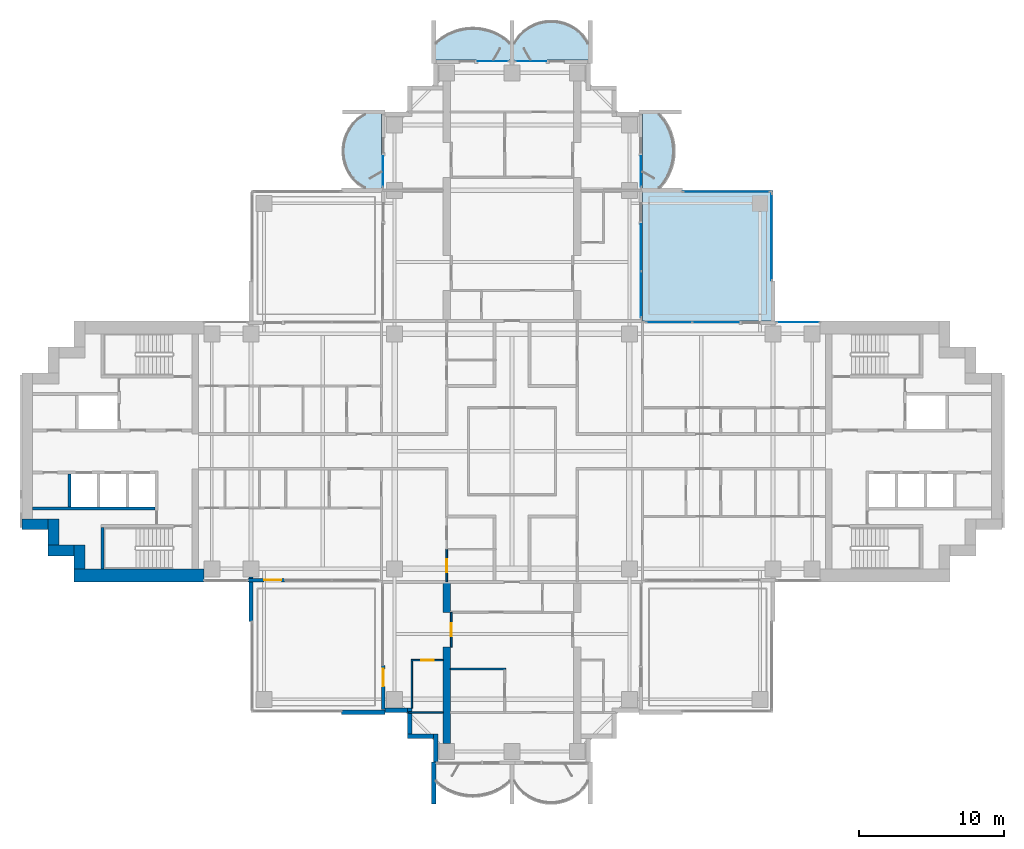
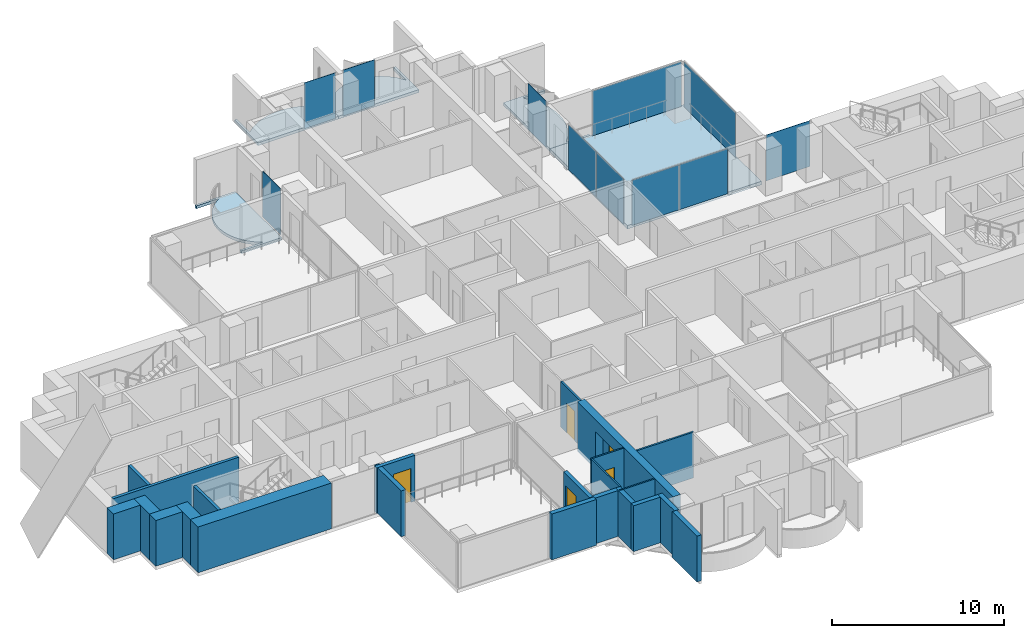
# One storey, part 8 of 18: 24 walls, 11 plates, 5 doors, 5 slabs, 5 openings, 9 elements without a shape of their own.
"""IFC4 building model written with IfcOpenShell, lengths in metres."""

from ifc_helpers import new_model, si_unit, direction, frame, frame_2d, origin, origin_2d, place, context, subcontext, project, spatial, polyline, rectangle, outline, extrude, material, layer, layer_set, material_profile, profile_set, type_object, element, fill, aggregate, save


model = new_model("IFC4")

# Units and contexts
model_context = context("Model", 3, precision=1e-05, world=origin(), true_north=direction((0.0, 1.0)))
body_context = subcontext(model_context, "Body", "Model", "MODEL_VIEW")
ifc_project = project(units=[si_unit("LENGTHUNIT", "METRE"), si_unit("AREAUNIT", "SQUARE_METRE"), si_unit("VOLUMEUNIT", "CUBIC_METRE"), si_unit("PLANEANGLEUNIT", "RADIAN"), si_unit("MASSUNIT", "GRAM", prefix="KILO")], contexts=[model_context])

# Site, building, storey
site_placement = place(None, origin())
site = spatial("IfcSite", under=ifc_project, at=site_placement, CompositionType="ELEMENT")
building_placement = place(site_placement, origin())
building = spatial("IfcBuilding", under=site, at=building_placement, Name="Perihelion Cross Residences", CompositionType="ELEMENT")
storey_placement = place(building_placement, frame((0.0, 0.0, 140.89990234375)))
storey = spatial("IfcBuildingStorey", under=building, at=storey_placement, Name="L34", CompositionType="ELEMENT", Elevation=140.89990234375)

# Slabs
ifc_material_1 = material(Name="Concrete C40/50", Category="concrete")
ifc_layer_1 = layer(ifc_material_1, 0.199951171875)
ifc_layer_set_1 = layer_set([ifc_layer_1], Name="Balcony slab 200")
slab_type_1 = type_object("IfcSlabType", Name="Balcony slab 200", PredefinedType="FLOOR", material=ifc_layer_set_1)
slab_1_placement = place(storey_placement, frame((0.0, 0.0, -0.199951171875)))
element("IfcSlab", 1, at=slab_1_placement, inside=storey, type_object=slab_type_1, Name="Slab BK1 L34 north side east bay 2 balcony", PredefinedType="FLOOR", context=body_context, shape_type="SweptSolid", body=[
    extrude(outline(polyline([(9.0, 18.0), (9.0, 23.39990234375), (11.699951171875, 23.39990234375), (11.699951171875, 23.25), (10.199951171875, 23.25), (10.5400390625, 22.824951171875), (10.792724609375, 22.39990234375), (10.9765625, 21.97509765625), (11.1025390625, 21.550048828125), (11.17578125, 21.125), (11.199951171875, 20.699951171875), (11.17578125, 20.27490234375), (11.1025390625, 19.85009765625), (10.9765625, 19.425048828125), (10.792724609375, 19.0), (10.5400390625, 18.574951171875), (10.199951171875, 18.14990234375), (11.699951171875, 18.14990234375), (11.699951171875, 18.0), (9.0, 18.0)])), origin(), (0.0, 0.0, 1.0), 0.199951171875),
])
slab_2_placement = place(storey_placement, frame((0.0, 0.0, -0.199951171875)))
element("IfcSlab", 2, at=slab_2_placement, inside=storey, type_object=slab_type_1, Name="Slab BK1 L34 north tip north bay 1 balcony", PredefinedType="FLOOR", context=body_context, shape_type="SweptSolid", body=[
    extrude(outline(polyline([(5.39990234375, 27.0), (0.0, 27.0), (0.0, 29.699951171875), (0.14990234375, 29.699951171875), (0.14990234375, 28.199951171875), (0.489990234375, 28.6767578125), (0.830078125, 29.007080078125), (1.169921875, 29.2490234375), (1.510009765625, 29.42724609375), (1.85009765625, 29.553466796875), (2.18994140625, 29.63427734375), (2.530029296875, 29.674072265625), (2.8701171875, 29.674072265625), (3.2099609375, 29.63427734375), (3.550048828125, 29.553466796875), (3.889892578125, 29.42724609375), (4.22998046875, 29.2490234375), (4.570068359375, 29.007080078125), (4.909912109375, 28.6767578125), (5.25, 28.199951171875), (5.25, 29.699951171875), (5.39990234375, 29.699951171875), (5.39990234375, 27.0)])), origin(), (0.0, 0.0, 1.0), 0.199951171875),
])
slab_3_placement = place(storey_placement, frame((0.0, 0.0, -0.199951171875)))
element("IfcSlab", 3, at=slab_3_placement, inside=storey, type_object=slab_type_1, Name="Slab BK1 L34 north tip north bay 2 balcony", PredefinedType="FLOOR", context=body_context, shape_type="SweptSolid", body=[
    extrude(outline(polyline([(0.0, 27.0), (-5.39990234375, 27.0), (-5.39990234375, 29.699951171875), (-5.25, 29.699951171875), (-5.25, 28.199951171875), (-4.824951171875, 28.5400390625), (-4.39990234375, 28.792724609375), (-3.97509765625, 28.9765625), (-3.550048828125, 29.1025390625), (-3.125, 29.17578125), (-2.699951171875, 29.199951171875), (-2.27490234375, 29.17578125), (-1.85009765625, 29.1025390625), (-1.425048828125, 28.9765625), (-1.0, 28.792724609375), (-0.574951171875, 28.5400390625), (-0.14990234375, 28.199951171875), (-0.14990234375, 29.699951171875), (0.0, 29.699951171875), (0.0, 27.0)])), origin(), (0.0, 0.0, 1.0), 0.199951171875),
])
slab_4_placement = place(storey_placement, frame((0.0, 0.0, -0.199951171875)))
element("IfcSlab", 4, at=slab_4_placement, inside=storey, type_object=slab_type_1, Name="Slab BK1 L34 north side west bay 1 balcony", PredefinedType="FLOOR", context=body_context, shape_type="SweptSolid", body=[
    extrude(outline(polyline([(-9.0, 23.39990234375), (-9.0, 18.0), (-11.699951171875, 18.0), (-11.699951171875, 18.14990234375), (-10.199951171875, 18.14990234375), (-10.6767578125, 18.489990234375), (-11.007080078125, 18.830078125), (-11.2490234375, 19.169921875), (-11.42724609375, 19.510009765625), (-11.553466796875, 19.85009765625), (-11.63427734375, 20.18994140625), (-11.674072265625, 20.530029296875), (-11.674072265625, 20.8701171875), (-11.63427734375, 21.2099609375), (-11.553466796875, 21.550048828125), (-11.42724609375, 21.889892578125), (-11.2490234375, 22.22998046875), (-11.007080078125, 22.570068359375), (-10.6767578125, 22.909912109375), (-10.199951171875, 23.25), (-11.699951171875, 23.25), (-11.699951171875, 23.39990234375), (-9.0, 23.39990234375)])), origin(), (0.0, 0.0, 1.0), 0.199951171875),
])

# Curtain wall, plate
ifc_material_2 = material(Name="Bronze anodised aluminium, tinted glazing", Category="aluminium")
curtain_wall_type_1 = type_object("IfcCurtainWallType", Name="CW1", PredefinedType="NOTDEFINED", material=ifc_material_2)
curtain_wall_1_placement = place(storey_placement, origin())
curtain_wall_1 = element("IfcCurtainWall", 5, at=curtain_wall_1_placement, inside=storey, type_object=curtain_wall_type_1, Name="Curtain wall CW1 L34 east side north bay 1", PredefinedType="NOTDEFINED")
ifc_material_3 = material(Name="Tinted laminated glass", Category="glass")
ifc_layer_2 = layer(ifc_material_3, 0.028076171875)
ifc_layer_set_2 = layer_set([ifc_layer_2], Name="CW1 panel")
plate_type_1 = type_object("IfcPlateType", Name="CW1 panel", PredefinedType="CURTAIN_PANEL", material=ifc_layer_set_2)
plate_1_placement = place(storey_placement, frame((19.72509765625, 8.89990234375, 0.0), z_axis=(0.0, 0.0, 1.0), x_axis=(-1.0, 0.0, 0.0)))
plate_1 = element("IfcPlate", 6, at=plate_1_placement, type_object=plate_type_1, Name="CW1 panel 1", PredefinedType="CURTAIN_PANEL", context=body_context, shape_type="SweptSolid", body=[
    extrude(rectangle(XDim=2.929931640625, YDim=0.028076171875, at=origin_2d()), origin(), (0.0, 0.0, 1.0), 3.25),
])
aggregate(curtain_wall_1, [plate_1])

# Curtain wall, plates
curtain_wall_2_placement = place(storey_placement, origin())
curtain_wall_2 = element("IfcCurtainWall", 7, at=curtain_wall_2_placement, inside=storey, type_object=curtain_wall_type_1, Name="Curtain wall CW1 L34 east side north bay 2", PredefinedType="NOTDEFINED")
plate_2_placement = place(storey_placement, frame((14.052490234375, 8.89990234375, 0.000244140625), z_axis=(0.0, 0.0, 1.0), x_axis=(-1.0, 0.0, 0.0)))
plate_2 = element("IfcPlate", 8, at=plate_2_placement, type_object=plate_type_1, Name="CW1 panel 1", PredefinedType="CURTAIN_PANEL", context=body_context, shape_type="SweptSolid", body=[
    extrude(rectangle(XDim=3.195068359375, YDim=0.028076171875, at=origin_2d()), origin(), (0.0, 0.0, 1.0), 3.18994140625),
])
plate_3_placement = place(storey_placement, frame((10.827392578125, 8.89990234375, 0.000244140625), z_axis=(0.0, 0.0, 1.0), x_axis=(-1.0, 0.0, 0.0)))
plate_3 = element("IfcPlate", 9, at=plate_3_placement, type_object=plate_type_1, Name="CW1 panel 2", PredefinedType="CURTAIN_PANEL", context=body_context, shape_type="SweptSolid", body=[
    extrude(rectangle(XDim=3.135009765625, YDim=0.028076171875, at=origin_2d()), origin(), (0.0, 0.0, 1.0), 3.18994140625),
])
aggregate(curtain_wall_2, [plate_2, plate_3])

curtain_wall_3_placement = place(storey_placement, origin())
curtain_wall_3 = element("IfcCurtainWall", 10, at=curtain_wall_3_placement, inside=storey, type_object=curtain_wall_type_1, Name="Curtain wall CW1 L34 north side east bay 1", PredefinedType="NOTDEFINED")
plate_4_placement = place(storey_placement, frame((8.89990234375, 10.827392578125, 0.000244140625), z_axis=(0.0, 0.0, 1.0), x_axis=(0.0, 1.0, 0.0)))
plate_4 = element("IfcPlate", 11, at=plate_4_placement, type_object=plate_type_1, Name="CW1 panel 1", PredefinedType="CURTAIN_PANEL", context=body_context, shape_type="SweptSolid", body=[
    extrude(rectangle(XDim=3.135009765625, YDim=0.028076171875, at=origin_2d()), origin(), (0.0, 0.0, 1.0), 3.18994140625),
])
plate_5_placement = place(storey_placement, frame((8.89990234375, 14.052490234375, 0.000244140625), z_axis=(0.0, 0.0, 1.0), x_axis=(0.0, 1.0, 0.0)))
plate_5 = element("IfcPlate", 12, at=plate_5_placement, type_object=plate_type_1, Name="CW1 panel 2", PredefinedType="CURTAIN_PANEL", context=body_context, shape_type="SweptSolid", body=[
    extrude(rectangle(XDim=3.195068359375, YDim=0.028076171875, at=origin_2d()), origin(), (0.0, 0.0, 1.0), 3.18994140625),
])
aggregate(curtain_wall_3, [plate_4, plate_5])

# Curtain wall, plate
curtain_wall_4_placement = place(storey_placement, origin())
curtain_wall_4 = element("IfcCurtainWall", 13, at=curtain_wall_4_placement, inside=storey, type_object=curtain_wall_type_1, Name="Curtain wall CW1 L34 north side east bay 2", PredefinedType="NOTDEFINED")
plate_6_placement = place(storey_placement, frame((8.89990234375, 19.304931640625, 0.0), z_axis=(0.0, 0.0, 1.0), x_axis=(0.0, 1.0, 0.0)))
plate_6 = element("IfcPlate", 14, at=plate_6_placement, type_object=plate_type_1, Name="CW1 panel 1", PredefinedType="CURTAIN_PANEL", context=body_context, shape_type="SweptSolid", body=[
    extrude(rectangle(XDim=2.090087890625, YDim=0.028076171875, at=origin_2d()), origin(), (0.0, 0.0, 1.0), 3.25),
])
aggregate(curtain_wall_4, [plate_6])

curtain_wall_5_placement = place(storey_placement, origin())
curtain_wall_5 = element("IfcCurtainWall", 15, at=curtain_wall_5_placement, inside=storey, type_object=curtain_wall_type_1, Name="Curtain wall CW1 L34 north tip north bay 1", PredefinedType="NOTDEFINED")
plate_7_placement = place(storey_placement, frame((1.304931640625, 26.89990234375, 0.0), z_axis=(0.0, 0.0, 1.0), x_axis=(-1.0, 0.0, 0.0)))
plate_7 = element("IfcPlate", 16, at=plate_7_placement, type_object=plate_type_1, Name="CW1 panel 1", PredefinedType="CURTAIN_PANEL", context=body_context, shape_type="SweptSolid", body=[
    extrude(rectangle(XDim=2.090087890625, YDim=0.028076171875, at=origin_2d()), origin(), (0.0, 0.0, 1.0), 3.25),
])
aggregate(curtain_wall_5, [plate_7])

curtain_wall_6_placement = place(storey_placement, origin())
curtain_wall_6 = element("IfcCurtainWall", 17, at=curtain_wall_6_placement, inside=storey, type_object=curtain_wall_type_1, Name="Curtain wall CW1 L34 north tip north bay 2", PredefinedType="NOTDEFINED")
plate_8_placement = place(storey_placement, frame((-1.304931640625, 26.89990234375, 0.0), z_axis=(0.0, 0.0, 1.0), x_axis=(-1.0, 0.0, 0.0)))
plate_8 = element("IfcPlate", 18, at=plate_8_placement, type_object=plate_type_1, Name="CW1 panel 1", PredefinedType="CURTAIN_PANEL", context=body_context, shape_type="SweptSolid", body=[
    extrude(rectangle(XDim=2.090087890625, YDim=0.028076171875, at=origin_2d()), origin(), (0.0, 0.0, 1.0), 3.25),
])
aggregate(curtain_wall_6, [plate_8])

curtain_wall_7_placement = place(storey_placement, origin())
curtain_wall_7 = element("IfcCurtainWall", 19, at=curtain_wall_7_placement, inside=storey, type_object=curtain_wall_type_1, Name="Curtain wall CW1 L34 north side west bay 1", PredefinedType="NOTDEFINED")
plate_9_placement = place(storey_placement, frame((-8.89990234375, 19.304931640625, 0.0), z_axis=(0.0, 0.0, 1.0), x_axis=(0.0, -1.0, 0.0)))
plate_9 = element("IfcPlate", 20, at=plate_9_placement, type_object=plate_type_1, Name="CW1 panel 1", PredefinedType="CURTAIN_PANEL", context=body_context, shape_type="SweptSolid", body=[
    extrude(rectangle(XDim=2.090087890625, YDim=0.028076171875, at=origin_2d()), origin(), (0.0, 0.0, 1.0), 3.25),
])
aggregate(curtain_wall_7, [plate_9])

ifc_material_4 = material(Name="Bronze anodised aluminium, tinted glazing", Category="aluminium")
curtain_wall_type_2 = type_object("IfcCurtainWallType", Name="CW4", PredefinedType="NOTDEFINED", material=ifc_material_4)
curtain_wall_8_placement = place(storey_placement, origin())
curtain_wall_8 = element("IfcCurtainWall", 21, at=curtain_wall_8_placement, inside=storey, type_object=curtain_wall_type_2, Name="Curtain wall CW4 L34 pocket north-east 1 1", PredefinedType="NOTDEFINED")
ifc_material_5 = material(Name="Tinted laminated glass", Category="glass")
ifc_layer_3 = layer(ifc_material_5, 0.030029296875)
ifc_layer_set_3 = layer_set([ifc_layer_3], Name="CW4 panel")
plate_type_2 = type_object("IfcPlateType", Name="CW4 panel", PredefinedType="CURTAIN_PANEL", material=ifc_layer_set_3)
plate_10_placement = place(storey_placement, frame((14.784912109375, 17.89990234375, 0.000244140625), z_axis=(0.0, 0.0, 1.0), x_axis=(1.0, 0.0, 0.0)))
plate_10 = element("IfcPlate", 22, at=plate_10_placement, type_object=plate_type_2, Name="CW4 panel 1", PredefinedType="CURTAIN_PANEL", context=body_context, shape_type="SweptSolid", body=[
    extrude(rectangle(XDim=5.969970703125, YDim=0.030029296875, at=origin_2d()), origin(), (0.0, 0.0, 1.0), 3.18994140625),
])
aggregate(curtain_wall_8, [plate_10])

curtain_wall_9_placement = place(storey_placement, origin())
curtain_wall_9 = element("IfcCurtainWall", 23, at=curtain_wall_9_placement, inside=storey, type_object=curtain_wall_type_2, Name="Curtain wall CW4 L34 pocket north-east 1 2", PredefinedType="NOTDEFINED")
plate_11_placement = place(storey_placement, frame((17.89990234375, 14.784912109375, 0.000244140625), z_axis=(0.0, 0.0, 1.0), x_axis=(0.0, -1.0, 0.0)))
plate_11 = element("IfcPlate", 24, at=plate_11_placement, type_object=plate_type_2, Name="CW4 panel 1", PredefinedType="CURTAIN_PANEL", context=body_context, shape_type="SweptSolid", body=[
    extrude(rectangle(XDim=5.969970703125, YDim=0.030029296875, at=origin_2d()), origin(), (0.0, 0.0, 1.0), 3.18994140625),
])
aggregate(curtain_wall_9, [plate_11])

# Slab
ifc_material_6 = material(Name="Concrete C40/50", Category="concrete")
ifc_layer_4 = layer(ifc_material_6, 0.25)
ifc_layer_set_4 = layer_set([ifc_layer_4], Name="Winter garden slab")
slab_type_2 = type_object("IfcSlabType", Name="Winter garden slab", PredefinedType="FLOOR", material=ifc_layer_set_4)
slab_5_placement = place(storey_placement, frame((0.0, 0.0, -0.25)))
element("IfcSlab", 25, at=slab_5_placement, inside=storey, type_object=slab_type_2, Name="Slab BK3 L34 pocket north-east", PredefinedType="FLOOR", context=body_context, shape_type="SweptSolid", body=[
    extrude(outline(polyline([(18.0, 9.0), (18.0, 18.0), (9.0, 18.0), (9.0, 9.0), (18.0, 9.0)])), origin(), (0.0, 0.0, 1.0), 0.25),
])

# Wall, opening, door
ifc_material_7 = material(Name="Concrete C30/37, bronze-clad", Category="concrete")
ifc_layer_5 = layer(ifc_material_7, 0.25)
ifc_layer_set_5 = layer_set([ifc_layer_5], Name="Bronze-clad pier wall 250")
wall_type_1 = type_object("IfcWallType", Name="Bronze-clad pier wall 250", PredefinedType="SOLIDWALL", material=ifc_layer_set_5)
wall_1_placement = place(storey_placement, frame((-18.199951171875, -8.875, 0.0), z_axis=(0.0, 0.0, 1.0), x_axis=(1.0, 0.0, 0.0)))
wall_1 = element("IfcWall", 26, at=wall_1_placement, inside=storey, type_object=wall_type_1, Name="Wall FW1 L34 west side south bay 2 pier", PredefinedType="SOLIDWALL", context=body_context, shape_type="SweptSolid", body=[
    extrude(rectangle(XDim=2.550048828125, YDim=0.25, at=frame_2d((1.27490234375, 0.0))), origin(), (0.0, 0.0, 1.0), 3.25),
])
opening_1_placement = place(wall_1_placement, frame((1.10009765625, 0.0, 0.0)))
opening_1 = element("IfcOpeningElement", 27, at=opening_1_placement, cuts=wall_1, Name="Opening L34.E09", PredefinedType="OPENING", context=body_context, shape_type="SweptSolid", body=[
    extrude(rectangle(XDim=1.199951171875, YDim=2.39990234375, at=frame_2d((0.60009765625, 1.199951171875))), frame((0.0, 0.135009765625, 0.0), z_axis=(0.0, -1.0, 0.0), x_axis=(1.0, 0.0, 0.0)), (0.0, 0.0, 1.0), 0.27001953125),
])
ifc_material_8 = material(Name="Bronze anodised aluminium, glazed", Category="aluminium")
door_type_1 = type_object("IfcDoorType", Name="Balcony door 1200 x 2400", OperationType="NOTDEFINED", PredefinedType="DOOR", material=ifc_material_8)
door_1_placement = place(opening_1_placement, origin())
door_1 = element("IfcDoor", 28, at=door_1_placement, inside=storey, type_object=door_type_1, Name="Door L34.E09 west side south bay 2", OperationType="SINGLE_SWING_RIGHT", OverallHeight=2.39990234375, OverallWidth=1.199951171875, PredefinedType="DOOR", context=body_context, shape_type="SweptSolid", body=[
    extrude(rectangle(XDim=1.199951171875, YDim=2.39990234375, at=frame_2d((0.60009765625, 1.199951171875))), frame((0.0, 0.02490234375, 0.0), z_axis=(0.0, -1.0, 0.0), x_axis=(1.0, 0.0, 0.0)), (0.0, 0.0, 1.0), 0.050048828125),
])
fill(opening_1, door_1)

wall_2_placement = place(storey_placement, frame((-8.875, -14.75, 0.0), z_axis=(0.0, 0.0, 1.0), x_axis=(0.0, -1.0, 0.0)))
wall_2 = element("IfcWall", 29, at=wall_2_placement, inside=storey, type_object=wall_type_1, Name="Wall FW1 L34 south side west bay 1 pier", PredefinedType="SOLIDWALL", context=body_context, shape_type="SweptSolid", body=[
    extrude(rectangle(XDim=3.050048828125, YDim=0.25, at=frame_2d((1.52490234375, 0.0))), origin(), (0.0, 0.0, 1.0), 3.25),
])
opening_2_placement = place(wall_2_placement, frame((0.25, 0.0, 0.0)))
opening_2 = element("IfcOpeningElement", 30, at=opening_2_placement, cuts=wall_2, Name="Opening L34.E10", PredefinedType="OPENING", context=body_context, shape_type="SweptSolid", body=[
    extrude(rectangle(XDim=1.199951171875, YDim=2.39990234375, at=frame_2d((0.60009765625, 1.199951171875))), frame((0.0, 0.135009765625, 0.0), z_axis=(0.0, -1.0, 0.0), x_axis=(1.0, 0.0, 0.0)), (0.0, 0.0, 1.0), 0.27001953125),
])
door_2_placement = place(opening_2_placement, origin())
door_2 = element("IfcDoor", 31, at=door_2_placement, inside=storey, type_object=door_type_1, Name="Door L34.E10 south side west bay 1", OperationType="SINGLE_SWING_LEFT", OverallHeight=2.39990234375, OverallWidth=1.199951171875, PredefinedType="DOOR", context=body_context, shape_type="SweptSolid", body=[
    extrude(rectangle(XDim=1.199951171875, YDim=2.39990234375, at=frame_2d((0.60009765625, 1.199951171875))), frame((0.0, 0.02490234375, 0.0), z_axis=(0.0, -1.0, 0.0), x_axis=(1.0, 0.0, 0.0)), (0.0, 0.0, 1.0), 0.050048828125),
])
fill(opening_2, door_2)

# Walls
ifc_material_9 = material(Name="Concrete C30/37, bronze-clad", Category="concrete")
ifc_layer_6 = layer(ifc_material_9, 0.300048828125)
ifc_layer_set_6 = layer_set([ifc_layer_6], Name="Bronze-clad serration wall 300")
wall_type_2 = type_object("IfcWallType", Name="Bronze-clad serration wall 300", PredefinedType="SOLIDWALL", material=ifc_layer_set_6)
wall_3_placement = place(storey_placement, frame((-8.75, -17.85009765625, 0.0), z_axis=(0.0, 0.0, 1.0), x_axis=(1.0, 0.0, 0.0)))
element("IfcWall", 32, at=wall_3_placement, inside=storey, type_object=wall_type_2, Name="Wall SR1 L34 south corner south-west 1", PredefinedType="SOLIDWALL", context=body_context, shape_type="SweptSolid", body=[
    extrude(rectangle(XDim=1.550048828125, YDim=0.300048828125, at=frame_2d((0.77490234375, 0.0))), origin(), (0.0, 0.0, 1.0), 3.25),
])
for number, where, z_axis, x_axis, name in (
    (33, (-7.050048828125, -17.699951171875, 0.0), (0.0, 0.0, 1.0), (0.0, -1.0, 0.0), "Wall SR1 L34 south corner south-west 2"),
    (34, (-7.199951171875, -19.64990234375, 0.0), (0.0, 0.0, 1.0), (1.0, 0.0, 0.0), "Wall SR1 L34 south corner south-west 3"),
):
    element("IfcWall", number, at=place(storey_placement, frame(where, z_axis=z_axis, x_axis=x_axis)), inside=storey, type_object=wall_type_2, Name=name, PredefinedType="SOLIDWALL", context=body_context, shape_type="SweptSolid", body=[
        extrude(rectangle(XDim=1.800048828125, YDim=0.300048828125, at=frame_2d((0.89990234375, 0.0))), origin(), (0.0, 0.0, 1.0), 3.25),
    ])
wall_4_placement = place(storey_placement, frame((-5.25, -19.5, 0.0), z_axis=(0.0, 0.0, 1.0), x_axis=(0.0, -1.0, 0.0)))
element("IfcWall", 35, at=wall_4_placement, inside=storey, type_object=wall_type_2, Name="Wall SR1 L34 south corner south-west 4", PredefinedType="SOLIDWALL", context=body_context, shape_type="SweptSolid", body=[
    extrude(rectangle(XDim=1.919921875, YDim=0.300048828125, at=frame_2d((0.9599609375, 0.0))), origin(), (0.0, 0.0, 1.0), 3.25),
])
ifc_material_10 = material(Name="Concrete C60/75", Category="concrete")
ifc_layer_7 = layer(ifc_material_10, 0.75)
ifc_layer_set_7 = layer_set([ifc_layer_7], Name="Core wall, outer 750")
wall_type_3 = type_object("IfcWallType", Name="Core wall, outer 750", PredefinedType="SHEAR", material=ifc_layer_set_7)
wall_5_placement = place(storey_placement, frame((-29.824951171875, -8.10009765625, 0.0), z_axis=(0.0, 0.0, 1.0), x_axis=(0.0, 1.0, 0.0)))
element("IfcWall", 36, at=wall_5_placement, inside=storey, type_object=wall_type_3, Name="West core core wall, outer", PredefinedType="SHEAR", context=body_context, shape_type="SweptSolid", body=[
    extrude(rectangle(XDim=1.650146484375, YDim=0.75, at=frame_2d((0.8251953125, 0.0))), origin(), (0.0, 0.0, 1.0), 3.25),
])
for number, where, z_axis, x_axis, name in (
    (37, (-32.0, -6.824951171875, 0.0), (0.0, 0.0, 1.0), (1.0, 0.0, 0.0), "West core core wall, outer"),
    (38, (-31.625, -6.449951171875, 0.0), (0.0, 0.0, 1.0), (0.0, 1.0, 0.0), "West core core wall, outer"),
    (39, (-33.800048828125, -5.02490234375, 0.0), (0.0, 0.0, 1.0), (1.0, 0.0, 0.0), "West core core wall, outer"),
):
    element("IfcWall", number, at=place(storey_placement, frame(where, z_axis=z_axis, x_axis=x_axis)), inside=storey, type_object=wall_type_3, Name=name, PredefinedType="SHEAR", context=body_context, shape_type="SweptSolid", body=[
        extrude(rectangle(XDim=1.800048828125, YDim=0.75, at=frame_2d((0.89990234375, 0.0))), origin(), (0.0, 0.0, 1.0), 3.25),
    ])
ifc_material_11 = material(Name="Concrete C60/75", Category="concrete")
ifc_layer_8 = layer(ifc_material_11, 0.89990234375)
ifc_layer_set_8 = layer_set([ifc_layer_8], Name="Core wall, outer 900")
wall_type_4 = type_object("IfcWallType", Name="Core wall, outer 900", PredefinedType="SHEAR", material=ifc_layer_set_8)
wall_6_placement = place(storey_placement, frame((-30.199951171875, -8.550048828125, 0.0), z_axis=(0.0, 0.0, 1.0), x_axis=(1.0, 0.0, 0.0)))
element("IfcWall", 40, at=wall_6_placement, inside=storey, type_object=wall_type_4, Name="West core core wall, outer", PredefinedType="SHEAR", context=body_context, shape_type="SweptSolid", body=[
    extrude(rectangle(XDim=8.949951171875, YDim=0.89990234375, at=frame_2d((4.47509765625, 0.0))), origin(), (0.0, 0.0, 1.0), 3.25),
])

# Wall, opening, door
ifc_material_12 = material(Name="Plasterboard partition")
ifc_layer_9 = layer(ifc_material_12, 0.1201171875)
ifc_layer_set_9 = layer_set([ifc_layer_9], Name="Infill panel 120")
wall_type_5 = type_object("IfcWallType", Name="Infill panel 120", PredefinedType="PARTITIONING", material=ifc_layer_set_9)
wall_7_placement = place(storey_placement, frame((-4.18994140625, -11.10009765625, 0.0), z_axis=(0.0, 0.0, 1.0), x_axis=(0.0, -1.0, 0.0)))
wall_7 = element("IfcWall", 41, at=wall_7_placement, inside=storey, type_object=wall_type_5, Name="Partition L34 WI06", PredefinedType="PARTITIONING", context=body_context, shape_type="SweptSolid", body=[
    extrude(rectangle(XDim=2.39990234375, YDim=0.1201171875, at=frame_2d((1.199951171875, 0.0))), origin(), (0.0, 0.0, 1.0), 2.400146484375),
])
opening_3_placement = place(wall_7_placement, frame((0.75, 0.0, 0.0)))
opening_3 = element("IfcOpeningElement", 42, at=opening_3_placement, cuts=wall_7, Name="Opening L34.A55", PredefinedType="OPENING", context=body_context, shape_type="SweptSolid", body=[
    extrude(rectangle(XDim=0.89990234375, YDim=2.10009765625, at=frame_2d((0.449951171875, 1.050048828125))), frame((0.0, 0.070068359375, 0.0), z_axis=(0.0, -1.0, 0.0), x_axis=(1.0, 0.0, 0.0)), (0.0, 0.0, 1.0), 0.14013671875),
])
ifc_material_13 = material(Name="Timber door leaf", Category="wood")
door_type_2 = type_object("IfcDoorType", Name="Interior room door 900 x 2100", OperationType="SINGLE_SWING_LEFT", PredefinedType="DOOR", material=ifc_material_13)
door_3_placement = place(opening_3_placement, origin())
door_3 = element("IfcDoor", 43, at=door_3_placement, inside=storey, type_object=door_type_2, Name="Door L34.A55", OperationType="SINGLE_SWING_LEFT", OverallHeight=2.10009765625, OverallWidth=0.89990234375, PredefinedType="DOOR", context=body_context, shape_type="SweptSolid", body=[
    extrude(rectangle(XDim=0.89990234375, YDim=2.10009765625, at=frame_2d((0.449951171875, 1.050048828125))), frame((0.0, 0.02490234375, 0.0), z_axis=(0.0, -1.0, 0.0), x_axis=(1.0, 0.0, 0.0)), (0.0, 0.0, 1.0), 0.050048828125),
])
fill(opening_3, door_3)

ifc_material_14 = material(Name="Plasterboard partition")
ifc_layer_10 = layer(ifc_material_14, 0.1201171875)
ifc_layer_set_10 = layer_set([ifc_layer_10], Name="Partition wall 120")
wall_type_6 = type_object("IfcWallType", Name="Partition wall 120", PredefinedType="PARTITIONING", material=ifc_layer_set_10)
wall_8_placement = place(storey_placement, frame((-4.5, -6.75, 0.0), z_axis=(0.0, 0.0, 1.0), x_axis=(0.0, -1.0, 0.0)))
wall_8 = element("IfcWall", 44, at=wall_8_placement, inside=storey, type_object=wall_type_6, Name="Partition L34 W062", PredefinedType="PARTITIONING", context=body_context, shape_type="SweptSolid", body=[
    extrude(rectangle(XDim=2.25, YDim=0.1201171875, at=frame_2d((1.125, 0.0))), origin(), (0.0, 0.0, 1.0), 3.25),
])
opening_4_placement = place(wall_8_placement, frame((0.675048828125, 0.0, 0.0)))
opening_4 = element("IfcOpeningElement", 45, at=opening_4_placement, cuts=wall_8, Name="Opening L34.A28", PredefinedType="OPENING", context=body_context, shape_type="SweptSolid", body=[
    extrude(rectangle(XDim=0.89990234375, YDim=2.10009765625, at=frame_2d((0.449951171875, 1.050048828125))), frame((0.0, 0.070068359375, 0.0), z_axis=(0.0, -1.0, 0.0), x_axis=(1.0, 0.0, 0.0)), (0.0, 0.0, 1.0), 0.14013671875),
])
door_4_placement = place(opening_4_placement, origin())
door_4 = element("IfcDoor", 46, at=door_4_placement, inside=storey, type_object=door_type_2, Name="Door L34.A28", OperationType="SINGLE_SWING_RIGHT", OverallHeight=2.10009765625, OverallWidth=0.89990234375, PredefinedType="DOOR", context=body_context, shape_type="SweptSolid", body=[
    extrude(rectangle(XDim=0.89990234375, YDim=2.10009765625, at=frame_2d((0.449951171875, 1.050048828125))), frame((0.0, 0.02490234375, 0.0), z_axis=(0.0, -1.0, 0.0), x_axis=(1.0, 0.0, 0.0)), (0.0, 0.0, 1.0), 0.050048828125),
])
fill(opening_4, door_4)

# Walls
wall_9_placement = place(storey_placement, frame((-0.43994140625, -15.0, 0.0), z_axis=(0.0, 0.0, 1.0), x_axis=(-1.0, 0.0, 0.0)))
element("IfcWall", 47, at=wall_9_placement, inside=storey, type_object=wall_type_6, Name="Partition L34 W081", PredefinedType="PARTITIONING", context=body_context, shape_type="SweptSolid", body=[
    extrude(rectangle(XDim=3.81005859375, YDim=0.1201171875, at=frame_2d((1.905029296875, 0.0))), origin(), (0.0, 0.0, 1.0), 3.25),
])
ifc_material_15 = material(Name="Precast concrete C50/60", Category="concrete")
ifc_layer_11 = layer(ifc_material_15, 0.300048828125)
ifc_layer_set_11 = layer_set([ifc_layer_11], Name="Precast concrete C50/60 blade wall 300")
wall_type_7 = type_object("IfcWallType", Name="Precast concrete C50/60 blade wall 300", PredefinedType="SOLIDWALL", material=ifc_layer_set_11)
wall_10_placement = place(storey_placement, frame((-18.0, -8.64990234375, 0.0), z_axis=(0.0, 0.0, 1.0), x_axis=(0.0, -1.0, 0.0)))
element("IfcWall", 48, at=wall_10_placement, inside=storey, type_object=wall_type_7, Name="Wall BL1 L34 no. 1", PredefinedType="SOLIDWALL", context=body_context, shape_type="SweptSolid", body=[
    extrude(rectangle(XDim=3.090087890625, YDim=0.300048828125, at=frame_2d((1.544921875, 0.0))), origin(), (0.0, 0.0, 1.0), 3.25),
])
wall_11_placement = place(storey_placement, frame((-8.75, -18.0, 0.0), z_axis=(0.0, 0.0, 1.0), x_axis=(-1.0, 0.0, 0.0)))
element("IfcWall", 49, at=wall_11_placement, inside=storey, type_object=wall_type_7, Name="Wall BL1 L34 no. 5", PredefinedType="SOLIDWALL", context=body_context, shape_type="SweptSolid", body=[
    extrude(rectangle(XDim=2.989990234375, YDim=0.300048828125, at=frame_2d((1.4951171875, 0.0))), origin(), (0.0, 0.0, 1.0), 3.25),
])
wall_12_placement = place(storey_placement, frame((-5.39990234375, -21.419921875, 0.0), z_axis=(0.0, 0.0, 1.0), x_axis=(0.0, -1.0, 0.0)))
element("IfcWall", 50, at=wall_12_placement, inside=storey, type_object=wall_type_7, Name="Wall BL1 L34 no. 3", PredefinedType="SOLIDWALL", context=body_context, shape_type="SweptSolid", body=[
    extrude(rectangle(XDim=2.880126953125, YDim=0.300048828125, at=frame_2d((1.43994140625, 0.0))), origin(), (0.0, 0.0, 1.0), 3.25),
])
ifc_material_16 = material(Name="Concrete C50/60", Category="concrete")
ifc_layer_12 = layer(ifc_material_16, 0.199951171875)
ifc_layer_set_12 = layer_set([ifc_layer_12], Name="Shaft wall 200")
wall_type_8 = type_object("IfcWallType", Name="Shaft wall 200", PredefinedType="SOLIDWALL", material=ifc_layer_set_12)
wall_13_placement = place(storey_placement, frame((-33.050048828125, -3.949951171875, 0.0), z_axis=(0.0, 0.0, 1.0), x_axis=(1.0, 0.0, 0.0)))
element("IfcWall", 51, at=wall_13_placement, inside=storey, type_object=wall_type_8, Name="West core shaft wall", PredefinedType="SOLIDWALL", context=body_context, shape_type="SweptSolid", body=[
    extrude(rectangle(XDim=8.449951171875, YDim=0.199951171875, at=frame_2d((4.22509765625, 0.0))), origin(), (0.0, 0.0, 1.0), 3.25),
])
wall_14_placement = place(storey_placement, frame((-30.5, -3.85009765625, 0.0), z_axis=(0.0, 0.0, 1.0), x_axis=(0.0, 1.0, 0.0)))
element("IfcWall", 52, at=wall_14_placement, inside=storey, type_object=wall_type_8, Name="West core shaft wall", PredefinedType="SOLIDWALL", context=body_context, shape_type="SweptSolid", body=[
    extrude(rectangle(XDim=2.300048828125, YDim=0.199951171875, at=frame_2d((1.14990234375, 0.0))), origin(), (0.0, 0.0, 1.0), 3.25),
])
ifc_material_17 = material(Name="Concrete C50/60", Category="concrete")
ifc_layer_13 = layer(ifc_material_17, 0.199951171875)
ifc_layer_set_13 = layer_set([ifc_layer_13], Name="Stair wall 200")
wall_type_9 = type_object("IfcWallType", Name="Stair wall 200", PredefinedType="SOLIDWALL", material=ifc_layer_set_13)
wall_15_placement = place(storey_placement, frame((-28.25, -8.10009765625, 0.0), z_axis=(0.0, 0.0, 1.0), x_axis=(0.0, 1.0, 0.0)))
element("IfcWall", 53, at=wall_15_placement, inside=storey, type_object=wall_type_9, Name="West core stair wall", PredefinedType="SOLIDWALL", context=body_context, shape_type="SweptSolid", body=[
    extrude(rectangle(XDim=2.85009765625, YDim=0.199951171875, at=frame_2d((1.425048828125, 0.0))), origin(), (0.0, 0.0, 1.0), 3.25),
])
ifc_material_18 = material(Name="Concrete C60/75", Category="concrete")
ifc_material_profile = material_profile(ifc_material_18, outline(polyline([(0.0, 0.0), (6.64990234375, 0.0), (6.64990234375, 2.64990234375), (9.050048828125, 2.64990234375), (9.050048828125, 0.0), (11.14990234375, 0.0), (11.14990234375, 3.5), (0.0, 3.5), (0.0, 0.0)])), Name="Tip spine wall")
ifc_profile_set = profile_set([ifc_material_profile], Name="Concrete C60/75")
wall_type_10 = type_object("IfcWallType", Name="Tip spine wall 500 with 1 door openings 11150 long 3500 high concrete C60/75", PredefinedType="SHEAR", material=ifc_profile_set)
wall_16_placement = place(storey_placement, frame((-4.75, -20.14990234375, -0.25), z_axis=(1.0, 0.0, 0.0), x_axis=(0.0, 1.0, 0.0)))
element("IfcWall", 54, at=wall_16_placement, inside=storey, type_object=wall_type_10, Name="Shear wall SW33 L34 south west", PredefinedType="SHEAR", context=body_context, shape_type="SweptSolid", body=[
    extrude(outline(polyline([(0.0, 0.0), (6.64990234375, 0.0), (6.64990234375, 2.64990234375), (9.050048828125, 2.64990234375), (9.050048828125, 0.0), (11.14990234375, 0.0), (11.14990234375, 3.5), (0.0, 3.5), (0.0, 0.0)])), origin(), (0.0, 0.0, 1.0), 0.5),
])

# Wall, opening, door
ifc_material_19 = material(Name="Plasterboard partition")
ifc_layer_14 = layer(ifc_material_19, 0.10009765625)
ifc_layer_set_14 = layer_set([ifc_layer_14], Name="Wet room wall 100")
wall_type_11 = type_object("IfcWallType", Name="Wet room wall 100", PredefinedType="PARTITIONING", material=ifc_layer_set_14)
wall_17_placement = place(storey_placement, frame((-4.75, -14.39990234375, 0.0), z_axis=(0.0, 0.0, 1.0), x_axis=(-1.0, 0.0, 0.0)))
wall_17 = element("IfcWall", 55, at=wall_17_placement, inside=storey, type_object=wall_type_11, Name="Partition L34 W087", PredefinedType="PARTITIONING", context=body_context, shape_type="SweptSolid", body=[
    extrude(rectangle(XDim=2.199951171875, YDim=0.10009765625, at=frame_2d((1.10009765625, 0.0))), origin(), (0.0, 0.0, 1.0), 3.25),
])
opening_5_placement = place(wall_17_placement, frame((0.64990234375, 0.0, 0.0)))
opening_5 = element("IfcOpeningElement", 56, at=opening_5_placement, cuts=wall_17, Name="Opening L34.A45", PredefinedType="OPENING", context=body_context, shape_type="SweptSolid", body=[
    extrude(rectangle(XDim=0.85009765625, YDim=2.10009765625, at=frame_2d((0.425048828125, 1.050048828125))), frame((0.0, 0.06005859375, 0.0), z_axis=(0.0, -1.0, 0.0), x_axis=(1.0, 0.0, 0.0)), (0.0, 0.0, 1.0), 0.1201171875),
])
ifc_material_20 = material(Name="Timber door leaf", Category="wood")
door_type_3 = type_object("IfcDoorType", Name="Interior bathroom door 850 x 2100", OperationType="SINGLE_SWING_LEFT", PredefinedType="DOOR", material=ifc_material_20)
door_5_placement = place(opening_5_placement, origin())
door_5 = element("IfcDoor", 57, at=door_5_placement, inside=storey, type_object=door_type_3, Name="Door L34.A45", OperationType="SINGLE_SWING_LEFT", OverallHeight=2.10009765625, OverallWidth=0.85009765625, PredefinedType="DOOR", context=body_context, shape_type="SweptSolid", body=[
    extrude(rectangle(XDim=0.85009765625, YDim=2.10009765625, at=frame_2d((0.425048828125, 1.050048828125))), frame((0.0, 0.02490234375, 0.0), z_axis=(0.0, -1.0, 0.0), x_axis=(1.0, 0.0, 0.0)), (0.0, 0.0, 1.0), 0.050048828125),
])
fill(opening_5, door_5)

# Walls
wall_18_placement = place(storey_placement, frame((-6.89990234375, -14.449951171875, 0.0), z_axis=(0.0, 0.0, 1.0), x_axis=(0.0, -1.0, 0.0)))
element("IfcWall", 58, at=wall_18_placement, inside=storey, type_object=wall_type_11, Name="Partition L34 W088", PredefinedType="PARTITIONING", context=body_context, shape_type="SweptSolid", body=[
    extrude(rectangle(XDim=3.25, YDim=0.10009765625, at=frame_2d((1.625, 0.0))), origin(), (0.0, 0.0, 1.0), 3.25),
])
wall_19_placement = place(storey_placement, frame((-4.75, -18.0, 0.0), z_axis=(0.0, 0.0, 1.0), x_axis=(-1.0, 0.0, 0.0)))
element("IfcWall", 59, at=wall_19_placement, inside=storey, type_object=wall_type_11, Name="Partition L34 W089", PredefinedType="PARTITIONING", context=body_context, shape_type="SweptSolid", body=[
    extrude(rectangle(XDim=2.3701171875, YDim=0.10009765625, at=frame_2d((1.18505859375, 0.0))), origin(), (0.0, 0.0, 1.0), 3.25),
])

save(model, "model.ifc")
